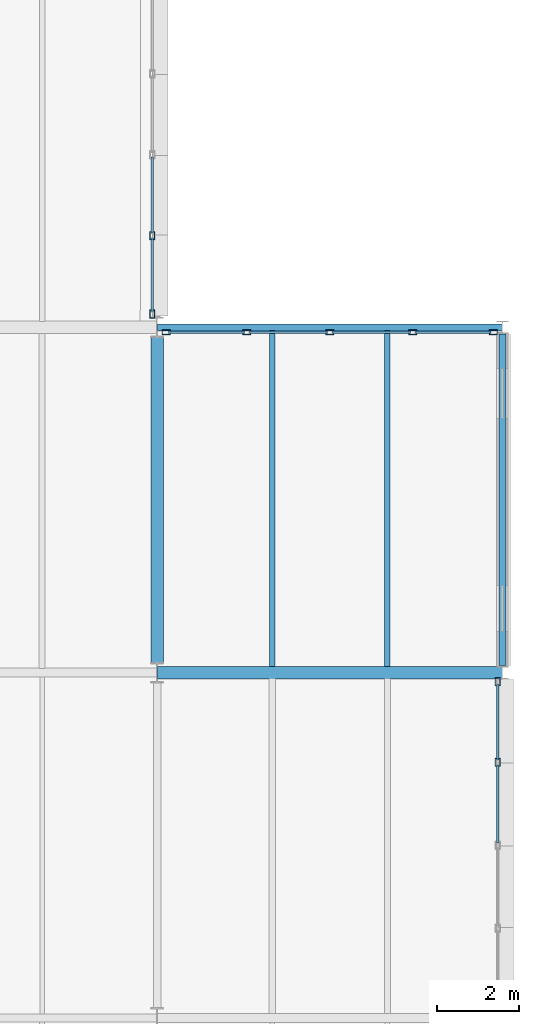
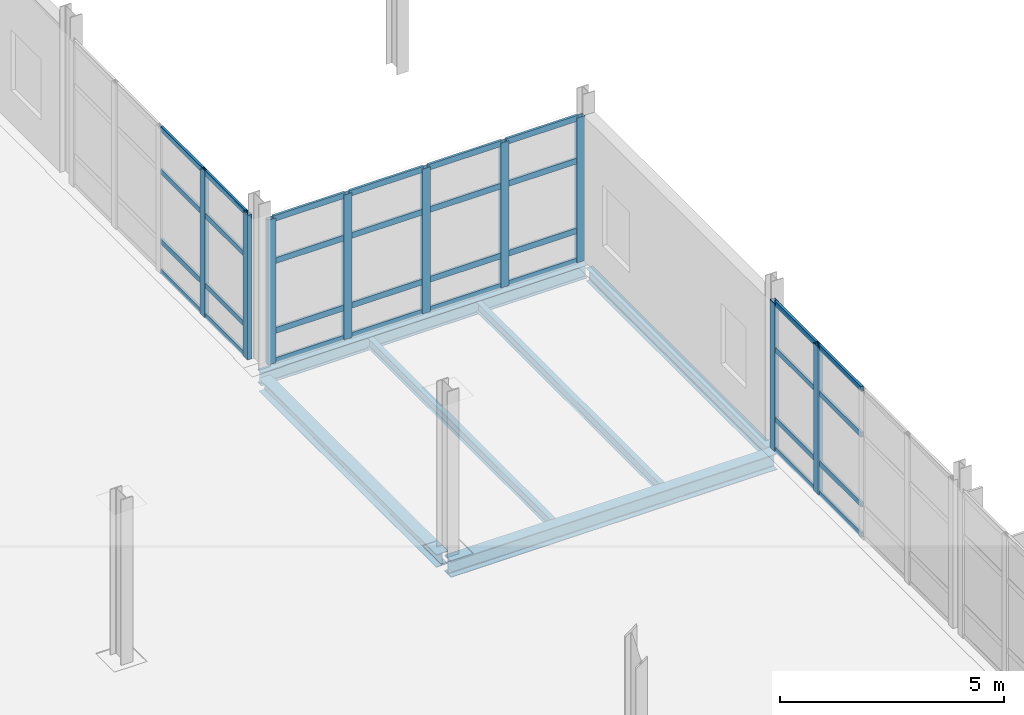
# One storey, part 75 of 129: 41 members, 6 beams, 3 elements without a shape of their own.
"""IFC4 building model written with IfcOpenShell, lengths in metres."""

import ifcopenshell
import ifcopenshell.guid

model = None  # the IFC model being written
_history = None  # IfcOwnerHistory: only IFC2X3 demands one
_inside = {}  # id of a spatial element -> (the spatial element, [elements in it])
_under = {}  # id of a project, library or spatial element -> (it, [spatial elements below it])
_declared = {}  # id of a project -> (the project, [libraries it declares])
_typed = {}  # id of a type object -> (the type object, [elements of that type])
_made_of = {}  # id of a material, layer set ... -> (it, [elements and type objects made of it])


def new_model(schema):
    """Start an empty IFC model of exactly this schema.

    Asked for "IFC4X3", IfcOpenShell would pick the latest addendum, in which some entities
    have other attributes; the version numbers below select the first issue.
    IFC2X3 requires an IfcOwnerHistory on every rooted entity: one is made here for all.
    """
    global model, _history
    if schema == "IFC4X3":
        model = ifcopenshell.file(schema_version=(4, 3, 0, 0))
    else:
        model = ifcopenshell.file(schema=schema)
    _inside.clear()
    _under.clear()
    _declared.clear()
    _typed.clear()
    _made_of.clear()
    _history = None
    if model.schema == "IFC2X3":
        org = make("IfcOrganization", Name="unknown")
        user = make(
            "IfcPersonAndOrganization",
            ThePerson=make("IfcPerson", FamilyName="unknown"),
            TheOrganization=org,
        )
        app = make(
            "IfcApplication",
            ApplicationDeveloper=org,
            Version="unknown",
            ApplicationFullName="unknown",
            ApplicationIdentifier="unknown",
        )
        _history = make(
            "IfcOwnerHistory",
            OwningUser=user,
            OwningApplication=app,
            ChangeAction="ADDED",
            CreationDate=0,
        )
    return model


def make(cls, **values):
    """One entity of the class cls with the attributes given. An attribute that is None is left unset."""
    return model.create_entity(
        cls, **{name: value for name, value in values.items() if value is not None}
    )


def rooted(cls, **values):
    """An entity with a GlobalId (a new one), such as an element, a storey or a relation."""
    return make(cls, GlobalId=ifcopenshell.guid.new(), OwnerHistory=_history, **values)


def si_unit(unit_type, name, prefix=None):
    """IfcSIUnit, for example si_unit("LENGTHUNIT", "METRE", prefix="MILLI")."""
    return make("IfcSIUnit", UnitType=unit_type, Prefix=prefix, Name=name)


def assignment(units):
    """IfcUnitAssignment: the units of a project."""
    return None if units is None else make("IfcUnitAssignment", Units=units)


def point(xyz):
    """IfcCartesianPoint."""
    return None if xyz is None else make("IfcCartesianPoint", Coordinates=xyz)


def direction(xyz):
    """IfcDirection."""
    return None if xyz is None else make("IfcDirection", DirectionRatios=xyz)


def frame(location, z_axis=None, x_axis=None):
    """IfcAxis2Placement3D, a coordinate frame: its origin and axes. An axis left out is left unset."""
    return make(
        "IfcAxis2Placement3D",
        Location=point(location),
        Axis=direction(z_axis),
        RefDirection=direction(x_axis),
    )


def frame_2d(location, x_axis=None):
    """IfcAxis2Placement2D, a coordinate frame in the plane: its origin and x axis."""
    return make(
        "IfcAxis2Placement2D", Location=point(location), RefDirection=direction(x_axis)
    )


def origin():
    """The frame at (0, 0, 0) with its axes left unset."""
    return frame((0.0, 0.0, 0.0))


def origin_2d():
    """The frame at (0, 0) in the plane with its x axis left unset."""
    return frame_2d((0.0, 0.0))


def place(relative_to, where):
    """IfcLocalPlacement: puts the frame where relative to a parent placement (None: the world)."""
    return make(
        "IfcLocalPlacement", PlacementRelTo=relative_to, RelativePlacement=where
    )


def context(
    kind, dimensions, precision=None, world=None, true_north=None, identifier=None
):
    """IfcGeometricRepresentationContext, for example the 3D "Model" context."""
    return make(
        "IfcGeometricRepresentationContext",
        ContextIdentifier=identifier,
        ContextType=kind,
        CoordinateSpaceDimension=dimensions,
        Precision=precision,
        WorldCoordinateSystem=world,
        TrueNorth=true_north,
    )


def subcontext(parent, identifier, kind, view, scale=None):
    """IfcGeometricRepresentationSubContext, for example "Body" below "Model"."""
    return make(
        "IfcGeometricRepresentationSubContext",
        ContextIdentifier=identifier,
        ContextType=kind,
        ParentContext=parent,
        TargetScale=scale,
        TargetView=view,
    )


def project(units=None, contexts=None):
    """IfcProject with its units and contexts."""
    return rooted(
        "IfcProject",
        Name="project",
        RepresentationContexts=contexts,
        UnitsInContext=assignment(units),
    )


def spatial(cls, under=None, at=None, **own):
    """A site, building, storey or space (cls), placed at a placement, below another one or the project."""
    s = rooted(cls, ObjectPlacement=at, **own)
    if under is not None:
        _under.setdefault(under.id(), (under, []))[1].append(s)
    return s


def profile(cls, at=None, kind="AREA", **sizes):
    """A parametric profile (cls). Its sizes go by their IFC names, for example OverallWidth=200.0."""
    return make(cls, ProfileType=kind, Position=at, **sizes)


def hollow_rectangle(**sizes):
    """IfcRectangleHollowProfileDef."""
    return profile("IfcRectangleHollowProfileDef", **sizes)


def i_section(**sizes):
    """IfcIShapeProfileDef."""
    return profile("IfcIShapeProfileDef", **sizes)


def extrude(swept, where, along, depth):
    """IfcExtrudedAreaSolid: the profile swept, set in the frame where, extruded along a direction by depth."""
    return make(
        "IfcExtrudedAreaSolid",
        SweptArea=swept,
        Position=where,
        ExtrudedDirection=direction(along),
        Depth=depth,
    )


def shape(context_of_items, identifier, shape_type, items):
    """IfcShapeRepresentation: the items that make up one representation, for example the "Body"."""
    return make(
        "IfcShapeRepresentation",
        ContextOfItems=context_of_items,
        RepresentationIdentifier=identifier,
        RepresentationType=shape_type,
        Items=items,
    )


def material(Name=None, Category=None):
    """IfcMaterial."""
    return make("IfcMaterial", Name=Name, Category=Category)


def material_profile(
    of_material, cross_section, Name=None, Category=None, Priority=None
):
    """IfcMaterialProfile: a cross section and its material."""
    return make(
        "IfcMaterialProfile",
        Name=Name,
        Material=of_material,
        Profile=cross_section,
        Priority=Priority,
        Category=Category,
    )


def profile_set(profiles, Name=None, composite=None):
    """IfcMaterialProfileSet."""
    return make(
        "IfcMaterialProfileSet",
        Name=Name,
        MaterialProfiles=profiles,
        CompositeProfile=composite,
    )


def made_of(thing, what):
    """Note that an element or type object is made of a material, layer set ...; save() writes the relation."""
    if what is not None:
        _made_of.setdefault(what.id(), (what, []))[1].append(thing)
    return thing


def type_object(cls, material=None, **own):
    """A type object (cls), such as IfcWallType, which elements share."""
    return made_of(rooted(cls, **own), material)


def element(
    cls,
    number,
    at=None,
    inside=None,
    cuts=None,
    type_object=None,
    material=None,
    context=None,
    identifier="Body",
    shape_type=None,
    held_by="IfcProductDefinitionShape",
    body=None,
    shapes=None,
    **own,
):
    """One element of the class cls, such as IfcWall. Its Tag is "e" and its number.

    at: its placement. inside: the storey or other place that contains it. cuts: it is an
    opening in that element (IfcRelVoidsElement). A single representation is given by context,
    identifier, shape_type and body (its items); several are given by shapes. held_by: the class
    of the entity that holds the representations. save() writes the other relations.
    """
    e = rooted(cls, Tag="e%d" % number, ObjectPlacement=at, **own)
    if body is not None:
        shapes = [shape(context, identifier, shape_type, body)]
    if shapes is not None:
        e.Representation = make(held_by, Representations=shapes)
    if inside is not None:
        _inside.setdefault(inside.id(), (inside, []))[1].append(e)
    if cuts is not None:
        rooted(
            "IfcRelVoidsElement", RelatingBuildingElement=cuts, RelatedOpeningElement=e
        )
    if type_object is not None:
        _typed.setdefault(type_object.id(), (type_object, []))[1].append(e)
    return made_of(e, material)


def aggregate(whole, parts):
    """IfcRelAggregates: a whole, such as a stair, and the parts it consists of."""
    return rooted("IfcRelAggregates", RelatingObject=whole, RelatedObjects=parts)


def save(model, path):
    """Write the relations noted so far, then the file.

    IfcRelAggregates (storeys below a building ...), IfcRelContainedInSpatialStructure (elements
    in a storey), IfcRelDefinesByType, IfcRelAssociatesMaterial and IfcRelDeclares: one each for
    every whole, place, type object, material and project.
    """
    for whole, parts in _under.values():
        aggregate(whole, parts)
    for where, things in _inside.values():
        rooted(
            "IfcRelContainedInSpatialStructure",
            RelatedElements=things,
            RelatingStructure=where,
        )
    for kind, things in _typed.values():
        rooted("IfcRelDefinesByType", RelatedObjects=things, RelatingType=kind)
    for what, things in _made_of.values():
        rooted("IfcRelAssociatesMaterial", RelatedObjects=things, RelatingMaterial=what)
    for by, libraries in _declared.values():
        rooted("IfcRelDeclares", RelatingContext=by, RelatedDefinitions=libraries)
    model.write(path)


model = new_model("IFC4")

# Units and contexts
model_context = context("Model", 3, precision=1e-05, world=origin(), true_north=direction((0.0, 1.0)))
body_context = subcontext(model_context, "Body", "Model", "MODEL_VIEW")
ifc_project = project(units=[si_unit("LENGTHUNIT", "METRE"), si_unit("AREAUNIT", "SQUARE_METRE"), si_unit("VOLUMEUNIT", "CUBIC_METRE"), si_unit("PLANEANGLEUNIT", "RADIAN"), si_unit("MASSUNIT", "GRAM", prefix="KILO")], contexts=[model_context])

# Site, building, storey
site_placement = place(None, origin())
site = spatial("IfcSite", under=ifc_project, at=site_placement, CompositionType="ELEMENT")
building_placement = place(site_placement, origin())
building = spatial("IfcBuilding", under=site, at=building_placement, Name="Mersafa Astral City Hall", CompositionType="ELEMENT")
storey_placement = place(building_placement, frame((0.0, 0.0, 5.39990234375)))
storey = spatial("IfcBuildingStorey", under=building, at=storey_placement, Name="L01", CompositionType="ELEMENT", Elevation=5.39990234375)

# Curtain wall, members
ifc_material_1 = material(Name="Anodised bronze aluminium framing", Category="aluminium")
curtain_wall_type_1 = type_object("IfcCurtainWallType", Name="ENV-CW-2", PredefinedType="USERDEFINED", material=ifc_material_1)
curtain_wall_1_placement = place(storey_placement, origin())
curtain_wall_1 = element("IfcCurtainWall", 1, at=curtain_wall_1_placement, inside=storey, type_object=curtain_wall_type_1, Name="L01 Unitised solar curtain wall 73", ObjectType="UNITISED CURTAIN WALL", PredefinedType="USERDEFINED")
ifc_material_profile_1 = material_profile(ifc_material_1, hollow_rectangle(XDim=0.1201171875, YDim=0.199951171875, WallThickness=0.008056640625, at=origin_2d()), Name="RHS 120x200x8")
ifc_profile_set_1 = profile_set([ifc_material_profile_1], Name="Anodised bronze aluminium framing")
member_type_1 = type_object("IfcMemberType", Name="ENV-CW-MUL-2", PredefinedType="MULLION", material=ifc_profile_set_1)
member_1_placement = place(storey_placement, frame((184.679931640625, 81.819091796875, -0.001953125), z_axis=(0.0, 0.0, 1.0), x_axis=(-1.0, 0.0, 0.0)))
member_1 = element("IfcMember", 2, at=member_1_placement, type_object=member_type_1, Name="CW-2 mullion 4", PredefinedType="MULLION", context=body_context, shape_type="SweptSolid", body=[
    extrude(hollow_rectangle(XDim=0.1201171875, YDim=0.199951171875, WallThickness=0.008056640625, at=origin_2d()), origin(), (0.0, 0.0, 1.0), 4.029052734375),
])
member_2_placement = place(storey_placement, frame((184.679931640625, 83.778076171875, -0.001953125), z_axis=(0.0, 0.0, 1.0), x_axis=(-1.0, 0.0, 0.0)))
member_2 = element("IfcMember", 3, at=member_2_placement, type_object=member_type_1, Name="CW-2 mullion 5", PredefinedType="MULLION", context=body_context, shape_type="SweptSolid", body=[
    extrude(hollow_rectangle(XDim=0.1201171875, YDim=0.199951171875, WallThickness=0.008056640625, at=origin_2d()), origin(), (0.0, 0.0, 1.0), 4.029052734375),
])

curtain_wall_type_2 = type_object("IfcCurtainWallType", Name="ENV-CW-3", PredefinedType="USERDEFINED", material=ifc_material_1)
curtain_wall_2_placement = place(storey_placement, origin())
curtain_wall_2 = element("IfcCurtainWall", 4, at=curtain_wall_2_placement, inside=storey, type_object=curtain_wall_type_2, Name="L01 Unitised solar curtain wall 74", ObjectType="UNITISED CURTAIN WALL", PredefinedType="USERDEFINED")
member_3_placement = place(storey_placement, frame((184.577880859375, 92.280029296875, -0.001953125), z_axis=(0.0, 0.0, 1.0), x_axis=(0.0, -1.0, 0.0)))
member_3 = element("IfcMember", 5, at=member_3_placement, type_object=member_type_1, Name="CW-3 mullion 1", PredefinedType="MULLION", context=body_context, shape_type="SweptSolid", body=[
    extrude(hollow_rectangle(XDim=0.1201171875, YDim=0.199951171875, WallThickness=0.008056640625, at=origin_2d()), origin(), (0.0, 0.0, 1.0), 3.93896484375),
])
member_4_placement = place(storey_placement, frame((182.618896484375, 92.280029296875, -0.001953125), z_axis=(0.0, 0.0, 1.0), x_axis=(0.0, -1.0, 0.0)))
member_4 = element("IfcMember", 6, at=member_4_placement, type_object=member_type_1, Name="CW-3 mullion 2", PredefinedType="MULLION", context=body_context, shape_type="SweptSolid", body=[
    extrude(hollow_rectangle(XDim=0.1201171875, YDim=0.199951171875, WallThickness=0.008056640625, at=origin_2d()), origin(), (0.0, 0.0, 1.0), 3.93896484375),
])
member_5_placement = place(storey_placement, frame((180.60009765625, 92.280029296875, -0.001953125), z_axis=(0.0, 0.0, 1.0), x_axis=(0.0, -1.0, 0.0)))
member_5 = element("IfcMember", 7, at=member_5_placement, type_object=member_type_1, Name="CW-3 mullion 3", PredefinedType="MULLION", context=body_context, shape_type="SweptSolid", body=[
    extrude(hollow_rectangle(XDim=0.1201171875, YDim=0.199951171875, WallThickness=0.008056640625, at=origin_2d()), origin(), (0.0, 0.0, 1.0), 3.93896484375),
])
member_6_placement = place(storey_placement, frame((178.5810546875, 92.280029296875, -0.001953125), z_axis=(0.0, 0.0, 1.0), x_axis=(0.0, -1.0, 0.0)))
member_6 = element("IfcMember", 8, at=member_6_placement, type_object=member_type_1, Name="CW-3 mullion 4", PredefinedType="MULLION", context=body_context, shape_type="SweptSolid", body=[
    extrude(hollow_rectangle(XDim=0.1201171875, YDim=0.199951171875, WallThickness=0.008056640625, at=origin_2d()), origin(), (0.0, 0.0, 1.0), 3.93896484375),
])
member_7_placement = place(storey_placement, frame((176.6220703125, 92.280029296875, -0.001953125), z_axis=(0.0, 0.0, 1.0), x_axis=(0.0, -1.0, 0.0)))
member_7 = element("IfcMember", 9, at=member_7_placement, type_object=member_type_1, Name="CW-3 mullion 5", PredefinedType="MULLION", context=body_context, shape_type="SweptSolid", body=[
    extrude(hollow_rectangle(XDim=0.1201171875, YDim=0.199951171875, WallThickness=0.008056640625, at=origin_2d()), origin(), (0.0, 0.0, 1.0), 3.93896484375),
])

curtain_wall_type_3 = type_object("IfcCurtainWallType", Name="ENV-CW-4", PredefinedType="USERDEFINED", material=ifc_material_1)
curtain_wall_3_placement = place(storey_placement, origin())
curtain_wall_3 = element("IfcCurtainWall", 10, at=curtain_wall_3_placement, inside=storey, type_object=curtain_wall_type_3, Name="L01 Unitised solar curtain wall 75", ObjectType="UNITISED CURTAIN WALL", PredefinedType="USERDEFINED")
member_8_placement = place(storey_placement, frame((176.280029296875, 92.721923828125, -0.001953125), z_axis=(0.0, 0.0, 1.0), x_axis=(-1.0, 0.0, 0.0)))
member_8 = element("IfcMember", 11, at=member_8_placement, type_object=member_type_1, Name="CW-4 mullion 1", PredefinedType="MULLION", context=body_context, shape_type="SweptSolid", body=[
    extrude(hollow_rectangle(XDim=0.1201171875, YDim=0.199951171875, WallThickness=0.008056640625, at=origin_2d()), origin(), (0.0, 0.0, 1.0), 3.93896484375),
])
member_9_placement = place(storey_placement, frame((176.280029296875, 94.631103515625, -0.001953125), z_axis=(0.0, 0.0, 1.0), x_axis=(-1.0, 0.0, 0.0)))
member_9 = element("IfcMember", 12, at=member_9_placement, type_object=member_type_1, Name="CW-4 mullion 2", PredefinedType="MULLION", context=body_context, shape_type="SweptSolid", body=[
    extrude(hollow_rectangle(XDim=0.1201171875, YDim=0.199951171875, WallThickness=0.008056640625, at=origin_2d()), origin(), (0.0, 0.0, 1.0), 3.93896484375),
])

# Member
ifc_material_profile_2 = material_profile(ifc_material_1, hollow_rectangle(XDim=0.06005859375, YDim=0.139892578125, WallThickness=0.00390625, at=origin_2d()), Name="RHS 60x140x4")
ifc_profile_set_2 = profile_set([ifc_material_profile_2], Name="Anodised bronze aluminium framing")
member_type_2 = type_object("IfcMemberType", Name="ENV-CW-TRN-1", PredefinedType="USERDEFINED", material=ifc_profile_set_2)
member_10_placement = place(storey_placement, frame((184.679931640625, 79.860107421875, 0.028076171875), z_axis=(0.0, 1.0, 0.0), x_axis=(-1.0, 0.0, 0.0)))
member_10 = element("IfcMember", 13, at=member_10_placement, type_object=member_type_2, Name="CW-2 transom 3.1", ObjectType="TRANSOM", PredefinedType="USERDEFINED", context=body_context, shape_type="SweptSolid", body=[
    extrude(hollow_rectangle(XDim=0.06005859375, YDim=0.139892578125, WallThickness=0.00390625, at=origin_2d()), origin(), (0.0, 0.0, 1.0), 1.89892578125),
])

member_11_placement = place(storey_placement, frame((184.679931640625, 79.860107421875, 0.85009765625), z_axis=(0.0, 1.0, 0.0), x_axis=(-1.0, 0.0, 0.0)))
member_11 = element("IfcMember", 14, at=member_11_placement, type_object=member_type_2, Name="CW-2 transom 3.2", ObjectType="TRANSOM", PredefinedType="USERDEFINED", context=body_context, shape_type="SweptSolid", body=[
    extrude(hollow_rectangle(XDim=0.06005859375, YDim=0.139892578125, WallThickness=0.00390625, at=origin_2d()), origin(), (0.0, 0.0, 1.0), 1.89892578125),
])

member_12_placement = place(storey_placement, frame((184.679931640625, 79.860107421875, 2.75), z_axis=(0.0, 1.0, 0.0), x_axis=(-1.0, 0.0, 0.0)))
member_12 = element("IfcMember", 15, at=member_12_placement, type_object=member_type_2, Name="CW-2 transom 3.3", ObjectType="TRANSOM", PredefinedType="USERDEFINED", context=body_context, shape_type="SweptSolid", body=[
    extrude(hollow_rectangle(XDim=0.06005859375, YDim=0.139892578125, WallThickness=0.00390625, at=origin_2d()), origin(), (0.0, 0.0, 1.0), 1.89892578125),
])

member_13_placement = place(storey_placement, frame((184.679931640625, 79.860107421875, 3.9970703125), z_axis=(0.0, 1.0, 0.0), x_axis=(-1.0, 0.0, 0.0)))
member_13 = element("IfcMember", 16, at=member_13_placement, type_object=member_type_2, Name="CW-2 transom 3.4", ObjectType="TRANSOM", PredefinedType="USERDEFINED", context=body_context, shape_type="SweptSolid", body=[
    extrude(hollow_rectangle(XDim=0.06005859375, YDim=0.139892578125, WallThickness=0.00390625, at=origin_2d()), origin(), (0.0, 0.0, 1.0), 1.89892578125),
])

member_14_placement = place(storey_placement, frame((184.679931640625, 81.87890625, 0.028076171875), z_axis=(0.0, 1.0, 0.0), x_axis=(-1.0, 0.0, 0.0)))
member_14 = element("IfcMember", 17, at=member_14_placement, type_object=member_type_2, Name="CW-2 transom 4.1", ObjectType="TRANSOM", PredefinedType="USERDEFINED", context=body_context, shape_type="SweptSolid", body=[
    extrude(hollow_rectangle(XDim=0.06005859375, YDim=0.139892578125, WallThickness=0.00390625, at=origin_2d()), origin(), (0.0, 0.0, 1.0), 1.839111328125),
])

member_15_placement = place(storey_placement, frame((184.679931640625, 81.87890625, 0.85009765625), z_axis=(0.0, 1.0, 0.0), x_axis=(-1.0, 0.0, 0.0)))
member_15 = element("IfcMember", 18, at=member_15_placement, type_object=member_type_2, Name="CW-2 transom 4.2", ObjectType="TRANSOM", PredefinedType="USERDEFINED", context=body_context, shape_type="SweptSolid", body=[
    extrude(hollow_rectangle(XDim=0.06005859375, YDim=0.139892578125, WallThickness=0.00390625, at=origin_2d()), origin(), (0.0, 0.0, 1.0), 1.839111328125),
])

member_16_placement = place(storey_placement, frame((184.679931640625, 81.87890625, 2.75), z_axis=(0.0, 1.0, 0.0), x_axis=(-1.0, 0.0, 0.0)))
member_16 = element("IfcMember", 19, at=member_16_placement, type_object=member_type_2, Name="CW-2 transom 4.3", ObjectType="TRANSOM", PredefinedType="USERDEFINED", context=body_context, shape_type="SweptSolid", body=[
    extrude(hollow_rectangle(XDim=0.06005859375, YDim=0.139892578125, WallThickness=0.00390625, at=origin_2d()), origin(), (0.0, 0.0, 1.0), 1.839111328125),
])

member_17_placement = place(storey_placement, frame((184.679931640625, 81.87890625, 3.9970703125), z_axis=(0.0, 1.0, 0.0), x_axis=(-1.0, 0.0, 0.0)))
member_17 = element("IfcMember", 20, at=member_17_placement, type_object=member_type_2, Name="CW-2 transom 4.4", ObjectType="TRANSOM", PredefinedType="USERDEFINED", context=body_context, shape_type="SweptSolid", body=[
    extrude(hollow_rectangle(XDim=0.06005859375, YDim=0.139892578125, WallThickness=0.00390625, at=origin_2d()), origin(), (0.0, 0.0, 1.0), 1.839111328125),
])

aggregate(curtain_wall_1, [member_1, member_2, member_10, member_11, member_12, member_13, member_14, member_15, member_16, member_17])

member_18_placement = place(storey_placement, frame((176.280029296875, 92.781982421875, 0.028076171875), z_axis=(0.0, 1.0, 0.0), x_axis=(-1.0, 0.0, 0.0)))
member_18 = element("IfcMember", 21, at=member_18_placement, type_object=member_type_2, Name="CW-4 transom 1.1", ObjectType="TRANSOM", PredefinedType="USERDEFINED", context=body_context, shape_type="SweptSolid", body=[
    extrude(hollow_rectangle(XDim=0.06005859375, YDim=0.139892578125, WallThickness=0.00390625, at=origin_2d()), origin(), (0.0, 0.0, 1.0), 1.7890625),
])

member_19_placement = place(storey_placement, frame((176.280029296875, 92.781982421875, 0.85009765625), z_axis=(0.0, 1.0, 0.0), x_axis=(-1.0, 0.0, 0.0)))
member_19 = element("IfcMember", 22, at=member_19_placement, type_object=member_type_2, Name="CW-4 transom 1.2", ObjectType="TRANSOM", PredefinedType="USERDEFINED", context=body_context, shape_type="SweptSolid", body=[
    extrude(hollow_rectangle(XDim=0.06005859375, YDim=0.139892578125, WallThickness=0.00390625, at=origin_2d()), origin(), (0.0, 0.0, 1.0), 1.7890625),
])

member_20_placement = place(storey_placement, frame((176.280029296875, 92.781982421875, 2.75), z_axis=(0.0, 1.0, 0.0), x_axis=(-1.0, 0.0, 0.0)))
member_20 = element("IfcMember", 23, at=member_20_placement, type_object=member_type_2, Name="CW-4 transom 1.3", ObjectType="TRANSOM", PredefinedType="USERDEFINED", context=body_context, shape_type="SweptSolid", body=[
    extrude(hollow_rectangle(XDim=0.06005859375, YDim=0.139892578125, WallThickness=0.00390625, at=origin_2d()), origin(), (0.0, 0.0, 1.0), 1.7890625),
])

member_21_placement = place(storey_placement, frame((176.280029296875, 92.781982421875, 3.906982421875), z_axis=(0.0, 1.0, 0.0), x_axis=(-1.0, 0.0, 0.0)))
member_21 = element("IfcMember", 24, at=member_21_placement, type_object=member_type_2, Name="CW-4 transom 1.4", ObjectType="TRANSOM", PredefinedType="USERDEFINED", context=body_context, shape_type="SweptSolid", body=[
    extrude(hollow_rectangle(XDim=0.06005859375, YDim=0.139892578125, WallThickness=0.00390625, at=origin_2d()), origin(), (0.0, 0.0, 1.0), 1.7890625),
])

member_22_placement = place(storey_placement, frame((176.280029296875, 94.69091796875, 0.028076171875), z_axis=(0.0, 1.0, 0.0), x_axis=(-1.0, 0.0, 0.0)))
member_22 = element("IfcMember", 25, at=member_22_placement, type_object=member_type_2, Name="CW-4 transom 2.1", ObjectType="TRANSOM", PredefinedType="USERDEFINED", context=body_context, shape_type="SweptSolid", body=[
    extrude(hollow_rectangle(XDim=0.06005859375, YDim=0.139892578125, WallThickness=0.00390625, at=origin_2d()), origin(), (0.0, 0.0, 1.0), 1.84912109375),
])

member_23_placement = place(storey_placement, frame((176.280029296875, 94.69091796875, 0.85009765625), z_axis=(0.0, 1.0, 0.0), x_axis=(-1.0, 0.0, 0.0)))
member_23 = element("IfcMember", 26, at=member_23_placement, type_object=member_type_2, Name="CW-4 transom 2.2", ObjectType="TRANSOM", PredefinedType="USERDEFINED", context=body_context, shape_type="SweptSolid", body=[
    extrude(hollow_rectangle(XDim=0.06005859375, YDim=0.139892578125, WallThickness=0.00390625, at=origin_2d()), origin(), (0.0, 0.0, 1.0), 1.84912109375),
])

member_24_placement = place(storey_placement, frame((176.280029296875, 94.69091796875, 2.75), z_axis=(0.0, 1.0, 0.0), x_axis=(-1.0, 0.0, 0.0)))
member_24 = element("IfcMember", 27, at=member_24_placement, type_object=member_type_2, Name="CW-4 transom 2.3", ObjectType="TRANSOM", PredefinedType="USERDEFINED", context=body_context, shape_type="SweptSolid", body=[
    extrude(hollow_rectangle(XDim=0.06005859375, YDim=0.139892578125, WallThickness=0.00390625, at=origin_2d()), origin(), (0.0, 0.0, 1.0), 1.84912109375),
])

member_25_placement = place(storey_placement, frame((176.280029296875, 94.69091796875, 3.906982421875), z_axis=(0.0, 1.0, 0.0), x_axis=(-1.0, 0.0, 0.0)))
member_25 = element("IfcMember", 28, at=member_25_placement, type_object=member_type_2, Name="CW-4 transom 2.4", ObjectType="TRANSOM", PredefinedType="USERDEFINED", context=body_context, shape_type="SweptSolid", body=[
    extrude(hollow_rectangle(XDim=0.06005859375, YDim=0.139892578125, WallThickness=0.00390625, at=origin_2d()), origin(), (0.0, 0.0, 1.0), 1.84912109375),
])

aggregate(curtain_wall_3, [member_8, member_9, member_18, member_19, member_20, member_21, member_22, member_23, member_24, member_25])

ifc_material_profile_3 = material_profile(ifc_material_1, hollow_rectangle(XDim=0.06005859375, YDim=0.159912109375, WallThickness=0.00390625, at=origin_2d()), Name="RHS 60x160x4")
ifc_profile_set_3 = profile_set([ifc_material_profile_3], Name="Anodised bronze aluminium framing")
member_type_3 = type_object("IfcMemberType", Name="ENV-CW-TRN-2", PredefinedType="USERDEFINED", material=ifc_profile_set_3)
member_26_placement = place(storey_placement, frame((184.51806640625, 92.280029296875, 0.028076171875), z_axis=(-1.0, 0.0, 0.0), x_axis=(0.0, -1.0, 0.0)))
member_26 = element("IfcMember", 29, at=member_26_placement, type_object=member_type_3, Name="CW-3 transom 1.1", ObjectType="TRANSOM", PredefinedType="USERDEFINED", context=body_context, shape_type="SweptSolid", body=[
    extrude(hollow_rectangle(XDim=0.06005859375, YDim=0.159912109375, WallThickness=0.00390625, at=origin_2d()), origin(), (0.0, 0.0, 1.0), 1.839111328125),
])

member_27_placement = place(storey_placement, frame((184.51806640625, 92.280029296875, 0.85009765625), z_axis=(-1.0, 0.0, 0.0), x_axis=(0.0, -1.0, 0.0)))
member_27 = element("IfcMember", 30, at=member_27_placement, type_object=member_type_3, Name="CW-3 transom 1.2", ObjectType="TRANSOM", PredefinedType="USERDEFINED", context=body_context, shape_type="SweptSolid", body=[
    extrude(hollow_rectangle(XDim=0.06005859375, YDim=0.159912109375, WallThickness=0.00390625, at=origin_2d()), origin(), (0.0, 0.0, 1.0), 1.839111328125),
])

member_28_placement = place(storey_placement, frame((184.51806640625, 92.280029296875, 2.75), z_axis=(-1.0, 0.0, 0.0), x_axis=(0.0, -1.0, 0.0)))
member_28 = element("IfcMember", 31, at=member_28_placement, type_object=member_type_3, Name="CW-3 transom 1.3", ObjectType="TRANSOM", PredefinedType="USERDEFINED", context=body_context, shape_type="SweptSolid", body=[
    extrude(hollow_rectangle(XDim=0.06005859375, YDim=0.159912109375, WallThickness=0.00390625, at=origin_2d()), origin(), (0.0, 0.0, 1.0), 1.839111328125),
])

member_29_placement = place(storey_placement, frame((184.51806640625, 92.280029296875, 3.906982421875), z_axis=(-1.0, 0.0, 0.0), x_axis=(0.0, -1.0, 0.0)))
member_29 = element("IfcMember", 32, at=member_29_placement, type_object=member_type_3, Name="CW-3 transom 1.4", ObjectType="TRANSOM", PredefinedType="USERDEFINED", context=body_context, shape_type="SweptSolid", body=[
    extrude(hollow_rectangle(XDim=0.06005859375, YDim=0.159912109375, WallThickness=0.00390625, at=origin_2d()), origin(), (0.0, 0.0, 1.0), 1.839111328125),
])

member_30_placement = place(storey_placement, frame((182.55908203125, 92.280029296875, 0.028076171875), z_axis=(-1.0, 0.0, 0.0), x_axis=(0.0, -1.0, 0.0)))
member_30 = element("IfcMember", 33, at=member_30_placement, type_object=member_type_3, Name="CW-3 transom 2.1", ObjectType="TRANSOM", PredefinedType="USERDEFINED", context=body_context, shape_type="SweptSolid", body=[
    extrude(hollow_rectangle(XDim=0.06005859375, YDim=0.159912109375, WallThickness=0.00390625, at=origin_2d()), origin(), (0.0, 0.0, 1.0), 1.899169921875),
])

member_31_placement = place(storey_placement, frame((182.55908203125, 92.280029296875, 0.85009765625), z_axis=(-1.0, 0.0, 0.0), x_axis=(0.0, -1.0, 0.0)))
member_31 = element("IfcMember", 34, at=member_31_placement, type_object=member_type_3, Name="CW-3 transom 2.2", ObjectType="TRANSOM", PredefinedType="USERDEFINED", context=body_context, shape_type="SweptSolid", body=[
    extrude(hollow_rectangle(XDim=0.06005859375, YDim=0.159912109375, WallThickness=0.00390625, at=origin_2d()), origin(), (0.0, 0.0, 1.0), 1.899169921875),
])

member_32_placement = place(storey_placement, frame((182.55908203125, 92.280029296875, 2.75), z_axis=(-1.0, 0.0, 0.0), x_axis=(0.0, -1.0, 0.0)))
member_32 = element("IfcMember", 35, at=member_32_placement, type_object=member_type_3, Name="CW-3 transom 2.3", ObjectType="TRANSOM", PredefinedType="USERDEFINED", context=body_context, shape_type="SweptSolid", body=[
    extrude(hollow_rectangle(XDim=0.06005859375, YDim=0.159912109375, WallThickness=0.00390625, at=origin_2d()), origin(), (0.0, 0.0, 1.0), 1.899169921875),
])

member_33_placement = place(storey_placement, frame((182.55908203125, 92.280029296875, 3.906982421875), z_axis=(-1.0, 0.0, 0.0), x_axis=(0.0, -1.0, 0.0)))
member_33 = element("IfcMember", 36, at=member_33_placement, type_object=member_type_3, Name="CW-3 transom 2.4", ObjectType="TRANSOM", PredefinedType="USERDEFINED", context=body_context, shape_type="SweptSolid", body=[
    extrude(hollow_rectangle(XDim=0.06005859375, YDim=0.159912109375, WallThickness=0.00390625, at=origin_2d()), origin(), (0.0, 0.0, 1.0), 1.899169921875),
])

member_34_placement = place(storey_placement, frame((180.5400390625, 92.280029296875, 0.028076171875), z_axis=(-1.0, 0.0, 0.0), x_axis=(0.0, -1.0, 0.0)))
member_34 = element("IfcMember", 37, at=member_34_placement, type_object=member_type_3, Name="CW-3 transom 3.1", ObjectType="TRANSOM", PredefinedType="USERDEFINED", context=body_context, shape_type="SweptSolid", body=[
    extrude(hollow_rectangle(XDim=0.06005859375, YDim=0.159912109375, WallThickness=0.00390625, at=origin_2d()), origin(), (0.0, 0.0, 1.0), 1.89892578125),
])

member_35_placement = place(storey_placement, frame((180.5400390625, 92.280029296875, 0.85009765625), z_axis=(-1.0, 0.0, 0.0), x_axis=(0.0, -1.0, 0.0)))
member_35 = element("IfcMember", 38, at=member_35_placement, type_object=member_type_3, Name="CW-3 transom 3.2", ObjectType="TRANSOM", PredefinedType="USERDEFINED", context=body_context, shape_type="SweptSolid", body=[
    extrude(hollow_rectangle(XDim=0.06005859375, YDim=0.159912109375, WallThickness=0.00390625, at=origin_2d()), origin(), (0.0, 0.0, 1.0), 1.89892578125),
])

member_36_placement = place(storey_placement, frame((180.5400390625, 92.280029296875, 2.75), z_axis=(-1.0, 0.0, 0.0), x_axis=(0.0, -1.0, 0.0)))
member_36 = element("IfcMember", 39, at=member_36_placement, type_object=member_type_3, Name="CW-3 transom 3.3", ObjectType="TRANSOM", PredefinedType="USERDEFINED", context=body_context, shape_type="SweptSolid", body=[
    extrude(hollow_rectangle(XDim=0.06005859375, YDim=0.159912109375, WallThickness=0.00390625, at=origin_2d()), origin(), (0.0, 0.0, 1.0), 1.89892578125),
])

member_37_placement = place(storey_placement, frame((180.5400390625, 92.280029296875, 3.906982421875), z_axis=(-1.0, 0.0, 0.0), x_axis=(0.0, -1.0, 0.0)))
member_37 = element("IfcMember", 40, at=member_37_placement, type_object=member_type_3, Name="CW-3 transom 3.4", ObjectType="TRANSOM", PredefinedType="USERDEFINED", context=body_context, shape_type="SweptSolid", body=[
    extrude(hollow_rectangle(XDim=0.06005859375, YDim=0.159912109375, WallThickness=0.00390625, at=origin_2d()), origin(), (0.0, 0.0, 1.0), 1.89892578125),
])

member_38_placement = place(storey_placement, frame((178.52099609375, 92.280029296875, 0.028076171875), z_axis=(-1.0, 0.0, 0.0), x_axis=(0.0, -1.0, 0.0)))
member_38 = element("IfcMember", 41, at=member_38_placement, type_object=member_type_3, Name="CW-3 transom 4.1", ObjectType="TRANSOM", PredefinedType="USERDEFINED", context=body_context, shape_type="SweptSolid", body=[
    extrude(hollow_rectangle(XDim=0.06005859375, YDim=0.159912109375, WallThickness=0.00390625, at=origin_2d()), origin(), (0.0, 0.0, 1.0), 1.839111328125),
])

member_39_placement = place(storey_placement, frame((178.52099609375, 92.280029296875, 0.85009765625), z_axis=(-1.0, 0.0, 0.0), x_axis=(0.0, -1.0, 0.0)))
member_39 = element("IfcMember", 42, at=member_39_placement, type_object=member_type_3, Name="CW-3 transom 4.2", ObjectType="TRANSOM", PredefinedType="USERDEFINED", context=body_context, shape_type="SweptSolid", body=[
    extrude(hollow_rectangle(XDim=0.06005859375, YDim=0.159912109375, WallThickness=0.00390625, at=origin_2d()), origin(), (0.0, 0.0, 1.0), 1.839111328125),
])

member_40_placement = place(storey_placement, frame((178.52099609375, 92.280029296875, 2.75), z_axis=(-1.0, 0.0, 0.0), x_axis=(0.0, -1.0, 0.0)))
member_40 = element("IfcMember", 43, at=member_40_placement, type_object=member_type_3, Name="CW-3 transom 4.3", ObjectType="TRANSOM", PredefinedType="USERDEFINED", context=body_context, shape_type="SweptSolid", body=[
    extrude(hollow_rectangle(XDim=0.06005859375, YDim=0.159912109375, WallThickness=0.00390625, at=origin_2d()), origin(), (0.0, 0.0, 1.0), 1.839111328125),
])

member_41_placement = place(storey_placement, frame((178.52099609375, 92.280029296875, 3.906982421875), z_axis=(-1.0, 0.0, 0.0), x_axis=(0.0, -1.0, 0.0)))
member_41 = element("IfcMember", 44, at=member_41_placement, type_object=member_type_3, Name="CW-3 transom 4.4", ObjectType="TRANSOM", PredefinedType="USERDEFINED", context=body_context, shape_type="SweptSolid", body=[
    extrude(hollow_rectangle(XDim=0.06005859375, YDim=0.159912109375, WallThickness=0.00390625, at=origin_2d()), origin(), (0.0, 0.0, 1.0), 1.839111328125),
])

aggregate(curtain_wall_2, [member_3, member_4, member_5, member_6, member_7, member_26, member_27, member_28, member_29, member_30, member_31, member_32, member_33, member_34, member_35, member_36, member_37, member_38, member_39, member_40, member_41])

# Beams
ifc_material_2 = material(Name="Steel S355", Category="steel")
ifc_material_profile_4 = material_profile(ifc_material_2, i_section(OverallWidth=0.300048828125, OverallDepth=0.35009765625, WebThickness=0.010009765625, FlangeThickness=0.017578125, FilletRadius=0.027099609375, at=origin_2d()), Name="HEA 360")
ifc_profile_set_4 = profile_set([ifc_material_profile_4], Name="Steel S355")
beam_type_1 = type_object("IfcBeamType", Name="STR-BM-HEA360", PredefinedType="BEAM", material=ifc_profile_set_4)
beam_1_placement = place(storey_placement, frame((176.39990234375, 84.2451171875, -0.39990234375), z_axis=(0.0, 1.0, 0.0), x_axis=(-1.0, 0.0, 0.0)))
element("IfcBeam", 45, at=beam_1_placement, inside=storey, type_object=beam_type_1, Name="L01 Primary girder Y 21-10", PredefinedType="BEAM", context=body_context, shape_type="SweptSolid", body=[
    extrude(i_section(OverallWidth=0.300048828125, OverallDepth=0.35009765625, WebThickness=0.010009765625, FlangeThickness=0.017578125, FilletRadius=0.027099609375, at=origin_2d()), origin(), (0.0, 0.0, 1.0), 7.909912109375),
])
ifc_material_profile_5 = material_profile(ifc_material_2, i_section(OverallWidth=0.300048828125, OverallDepth=0.43994140625, WebThickness=0.011474609375, FlangeThickness=0.02099609375, FilletRadius=0.027099609375, at=origin_2d()), Name="HEA 450")
ifc_profile_set_5 = profile_set([ifc_material_profile_5], Name="Steel S355")
beam_type_2 = type_object("IfcBeamType", Name="STR-BM-HEA450", PredefinedType="BEAM", material=ifc_profile_set_5)
beam_2_placement = place(storey_placement, frame((176.403076171875, 84.0, -0.44482421875), z_axis=(1.0, 0.0, 0.0), x_axis=(0.0, 1.0, 0.0)))
element("IfcBeam", 46, at=beam_2_placement, inside=storey, type_object=beam_type_2, Name="L01 Primary girder X 21-10", PredefinedType="BEAM", context=body_context, shape_type="SweptSolid", body=[
    extrude(i_section(OverallWidth=0.300048828125, OverallDepth=0.43994140625, WebThickness=0.011474609375, FlangeThickness=0.02099609375, FilletRadius=0.027099609375, at=origin_2d()), origin(), (0.0, 0.0, 1.0), 8.39404296875),
])
ifc_material_profile_6 = material_profile(ifc_material_2, i_section(OverallWidth=0.135009765625, OverallDepth=0.27001953125, WebThickness=0.006591796875, FlangeThickness=0.01025390625, FilletRadius=0.014892578125, at=origin_2d()), Name="IPE 270")
ifc_profile_set_6 = profile_set([ifc_material_profile_6], Name="Steel S355")
beam_type_3 = type_object("IfcBeamType", Name="STR-BM-JOIST-IPE270", PredefinedType="JOIST", material=ifc_profile_set_6)
for number, where, z_axis, x_axis, name in (
    (47, (179.199951171875, 84.14501953125, -0.35986328125), (0.0, 1.0, 0.0), (-1.0, 0.0, 0.0), "L01 Composite secondary floor joist 399"),
    (48, (182.0, 84.14501953125, -0.35986328125), (0.0, 1.0, 0.0), (-1.0, 0.0, 0.0), "L01 Composite secondary floor joist 400"),
):
    element("IfcBeam", number, at=place(storey_placement, frame(where, z_axis=z_axis, x_axis=x_axis)), inside=storey, type_object=beam_type_3, Name=name, PredefinedType="JOIST", context=body_context, shape_type="SweptSolid", body=[
        extrude(i_section(OverallWidth=0.135009765625, OverallDepth=0.27001953125, WebThickness=0.006591796875, FlangeThickness=0.01025390625, FilletRadius=0.014892578125, at=origin_2d()), origin(), (0.0, 0.0, 1.0), 8.175048828125),
    ])
ifc_material_profile_7 = material_profile(ifc_material_2, i_section(OverallWidth=0.169921875, OverallDepth=0.360107421875, WebThickness=0.008056640625, FlangeThickness=0.0126953125, FilletRadius=0.01806640625, at=origin_2d()), Name="IPE 360")
ifc_profile_set_7 = profile_set([ifc_material_profile_7], Name="Steel S355")
beam_type_4 = type_object("IfcBeamType", Name="STR-BM-SPANDREL-IPE360", PredefinedType="SPANDREL", material=ifc_profile_set_7)
beam_3_placement = place(storey_placement, frame((176.403076171875, 92.39990234375, -0.40478515625), z_axis=(1.0, 0.0, 0.0), x_axis=(0.0, 1.0, 0.0)))
element("IfcBeam", 49, at=beam_3_placement, inside=storey, type_object=beam_type_4, Name="L01 Primary girder X 21-11", PredefinedType="SPANDREL", context=body_context, shape_type="SweptSolid", body=[
    extrude(i_section(OverallWidth=0.169921875, OverallDepth=0.360107421875, WebThickness=0.008056640625, FlangeThickness=0.0126953125, FilletRadius=0.01806640625, at=origin_2d()), origin(), (0.0, 0.0, 1.0), 8.39404296875),
])
beam_4_placement = place(storey_placement, frame((184.800048828125, 84.175048828125, -0.40478515625), z_axis=(0.0, 1.0, 0.0), x_axis=(-1.0, 0.0, 0.0)))
element("IfcBeam", 50, at=beam_4_placement, inside=storey, type_object=beam_type_4, Name="L01 Primary girder Y 22-10", PredefinedType="SPANDREL", context=body_context, shape_type="SweptSolid", body=[
    extrude(i_section(OverallWidth=0.169921875, OverallDepth=0.360107421875, WebThickness=0.008056640625, FlangeThickness=0.0126953125, FilletRadius=0.01806640625, at=origin_2d()), origin(), (0.0, 0.0, 1.0), 8.06005859375),
])

save(model, "model.ifc")
